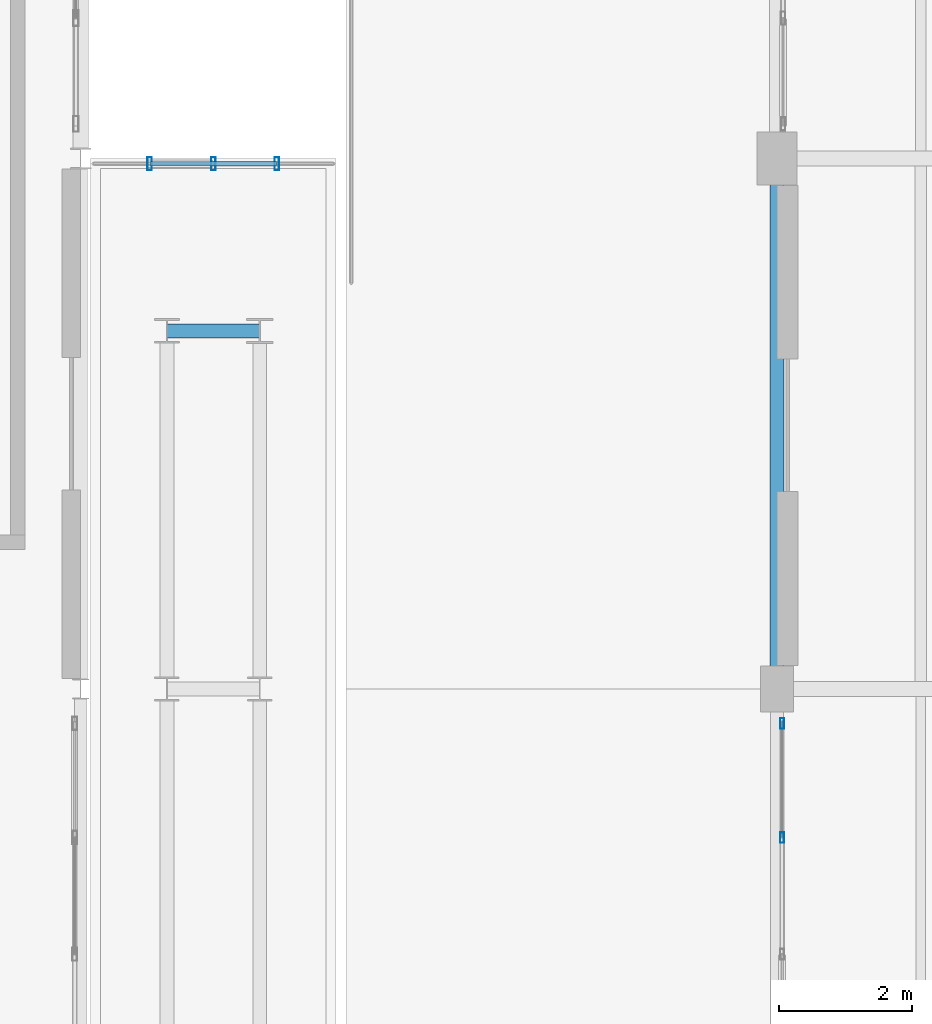
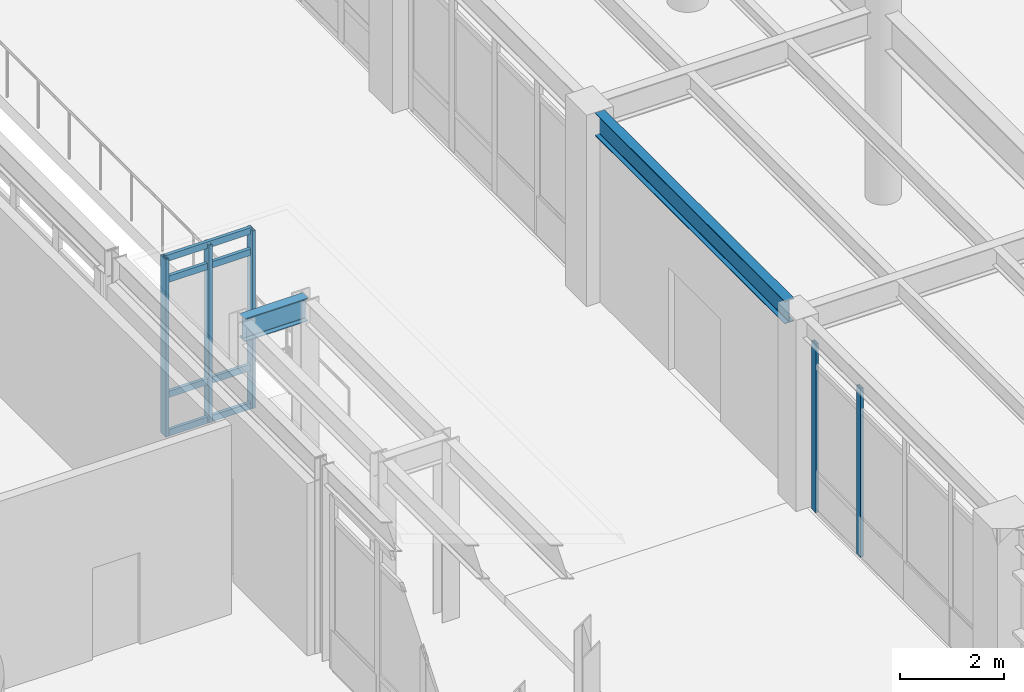
# One storey, part 37 of 200: 9 members, 2 beams, 2 elements without a shape of their own.
"""IFC4 building model written with IfcOpenShell, lengths in metres."""

from ifc_helpers import new_model, si_unit, direction, frame, origin, origin_2d, place, context, subcontext, project, spatial, hollow_rectangle, i_section, extrude, material, material_profile, profile_set, type_object, element, aggregate, save


model = new_model("IFC4")

# Units and contexts
model_context = context("Model", 3, precision=1e-05, world=origin(), true_north=direction((0.0, 1.0)))
body_context = subcontext(model_context, "Body", "Model", "MODEL_VIEW")
ifc_project = project(units=[si_unit("LENGTHUNIT", "METRE"), si_unit("AREAUNIT", "SQUARE_METRE"), si_unit("VOLUMEUNIT", "CUBIC_METRE"), si_unit("PLANEANGLEUNIT", "RADIAN"), si_unit("MASSUNIT", "GRAM", prefix="KILO"), si_unit("THERMODYNAMICTEMPERATUREUNIT", "KELVIN"), si_unit("POWERUNIT", "WATT")], contexts=[model_context])

# Site, building, storey
site_placement = place(None, origin())
site = spatial("IfcSite", under=ifc_project, at=site_placement, CompositionType="ELEMENT")
building_placement = place(site_placement, origin())
building = spatial("IfcBuilding", under=site, at=building_placement, Name="Tepalcoro Natatorium and Aquatics Centre", CompositionType="ELEMENT")
storey_placement = place(building_placement, frame((0.0, 0.0, 5.39990234375)))
storey = spatial("IfcBuildingStorey", under=building, at=storey_placement, Name="L01", CompositionType="ELEMENT", Elevation=5.39990234375)

# Beam
ifc_material_1 = material(Name="Steel ASTM A992 Grade 50 (Fy 345 MPa)", Category="steel")
ifc_material_profile_1 = material_profile(ifc_material_1, i_section(OverallWidth=0.2109375, OverallDepth=0.5380859375, WebThickness=0.011962890625, FlangeThickness=0.01904296875, FilletRadius=0.013916015625, at=origin_2d()), Name="W21X73")
ifc_profile_set_1 = profile_set([ifc_material_profile_1], Name="Steel ASTM A992 Grade 50 (Fy 345 MPa)")
beam_type_1 = type_object("IfcBeamType", Name="BM_LINK_LB1", PredefinedType="BEAM", material=ifc_profile_set_1)
beam_1_placement = place(storey_placement, frame((37.300048828125, 41.39990234375, 3.9560546875), z_axis=(1.0, 0.0, 0.0), x_axis=(0.0, 1.0, 0.0)))
element("IfcBeam", 1, at=beam_1_placement, inside=storey, type_object=beam_type_1, Name="Seismic passage link beam LB1 (V6W L01)", PredefinedType="BEAM", context=body_context, shape_type="SweptSolid", body=[
    extrude(i_section(OverallWidth=0.2109375, OverallDepth=0.5380859375, WebThickness=0.011962890625, FlangeThickness=0.01904296875, FilletRadius=0.013916015625, at=origin_2d()), origin(), (0.0, 0.0, 1.0), 1.39990234375),
])

# Curtain wall, members
ifc_material_2 = material(Name="Bronze-Anodised Extruded Aluminium Alloy EN AW-6063 T6", Category="aluminium")
curtain_wall_type_1 = type_object("IfcCurtainWallType", Name="CW_LEAN_T2_NS", PredefinedType="USERDEFINED", material=ifc_material_2)
curtain_wall_1_placement = place(storey_placement, origin())
curtain_wall_1 = element("IfcCurtainWall", 2, at=curtain_wall_1_placement, inside=storey, type_object=curtain_wall_type_1, Name="V1 L01 W Unitised Curtain Wall Bay 4", ObjectType="FACETED SOLAR GLAZING", PredefinedType="USERDEFINED")
ifc_material_profile_2 = material_profile(ifc_material_2, hollow_rectangle(XDim=0.06005859375, YDim=0.159912109375, WallThickness=0.00390625, at=origin_2d()), Name="AL60X160X4")
ifc_profile_set_2 = profile_set([ifc_material_profile_2], Name="Bronze-Anodised Extruded Aluminium Alloy EN AW-6063 T6")
member_type_1 = type_object("IfcMemberType", Name="CW_MUL_60x160", PredefinedType="MULLION", material=ifc_profile_set_2)
member_1_placement = place(storey_placement, frame((46.576171875, 33.760009765625, 0.02001953125), z_axis=(0.0, 0.0, 1.0), x_axis=(1.0, 0.0, 0.0)))
member_1 = element("IfcMember", 3, at=member_1_placement, type_object=member_type_1, Name="CW_LEAN_T2_NS Curtain Wall Mullion", PredefinedType="MULLION", context=body_context, shape_type="SweptSolid", body=[
    extrude(hollow_rectangle(XDim=0.06005859375, YDim=0.159912109375, WallThickness=0.00390625, at=origin_2d()), origin(), (0.0, 0.0, 1.0), 3.9501953125),
])
member_2_placement = place(storey_placement, frame((46.576171875, 35.47998046875, 0.02001953125), z_axis=(0.0, 0.0, 1.0), x_axis=(1.0, 0.0, 0.0)))
member_2 = element("IfcMember", 4, at=member_2_placement, type_object=member_type_1, Name="CW_LEAN_T2_NS Curtain Wall Mullion", PredefinedType="MULLION", context=body_context, shape_type="SweptSolid", body=[
    extrude(hollow_rectangle(XDim=0.06005859375, YDim=0.159912109375, WallThickness=0.00390625, at=origin_2d()), origin(), (0.0, 0.0, 1.0), 3.9501953125),
])
aggregate(curtain_wall_1, [member_1, member_2])

curtain_wall_type_2 = type_object("IfcCurtainWallType", Name="CW_LINK_150", PredefinedType="USERDEFINED", material=ifc_material_2)
curtain_wall_2_placement = place(storey_placement, origin())
curtain_wall_2 = element("IfcCurtainWall", 5, at=curtain_wall_2_placement, inside=storey, type_object=curtain_wall_type_2, Name="West Foyer Seismic Link Glazed Wall N L01", ObjectType="UNITISED STOREFRONT", PredefinedType="USERDEFINED")
ifc_material_profile_3 = material_profile(ifc_material_2, hollow_rectangle(XDim=0.070068359375, YDim=0.199951171875, WallThickness=0.0048828125, at=origin_2d()), Name="AL70X200X5")
ifc_profile_set_3 = profile_set([ifc_material_profile_3], Name="Bronze-Anodised Extruded Aluminium Alloy EN AW-6063 T6")
member_type_2 = type_object("IfcMemberType", Name="CW_MUL_70x200", PredefinedType="MULLION", material=ifc_profile_set_3)
member_3_placement = place(storey_placement, frame((37.0400390625, 43.919921875, 0.02001953125), z_axis=(0.0, 0.0, 1.0), x_axis=(1.0, 0.0, 0.0)))
member_3 = element("IfcMember", 6, at=member_3_placement, type_object=member_type_2, Name="CW_LINK_150 Curtain Wall Mullion", PredefinedType="MULLION", context=body_context, shape_type="SweptSolid", body=[
    extrude(hollow_rectangle(XDim=0.070068359375, YDim=0.199951171875, WallThickness=0.0048828125, at=origin_2d()), origin(), (0.0, 0.0, 1.0), 4.16015625),
])
member_4_placement = place(storey_placement, frame((38.0, 43.919921875, 0.02001953125), z_axis=(0.0, 0.0, 1.0), x_axis=(1.0, 0.0, 0.0)))
member_4 = element("IfcMember", 7, at=member_4_placement, type_object=member_type_2, Name="CW_LINK_150 Curtain Wall Mullion", PredefinedType="MULLION", context=body_context, shape_type="SweptSolid", body=[
    extrude(hollow_rectangle(XDim=0.070068359375, YDim=0.199951171875, WallThickness=0.0048828125, at=origin_2d()), origin(), (0.0, 0.0, 1.0), 4.16015625),
])
member_5_placement = place(storey_placement, frame((38.9599609375, 43.919921875, 0.02001953125), z_axis=(0.0, 0.0, 1.0), x_axis=(1.0, 0.0, 0.0)))
member_5 = element("IfcMember", 8, at=member_5_placement, type_object=member_type_2, Name="CW_LINK_150 Curtain Wall Mullion", PredefinedType="MULLION", context=body_context, shape_type="SweptSolid", body=[
    extrude(hollow_rectangle(XDim=0.070068359375, YDim=0.199951171875, WallThickness=0.0048828125, at=origin_2d()), origin(), (0.0, 0.0, 1.0), 4.16015625),
])
ifc_material_profile_4 = material_profile(ifc_material_2, hollow_rectangle(XDim=0.070068359375, YDim=0.14990234375, WallThickness=0.00390625, at=origin_2d()), Name="AL70X150X4")
ifc_profile_set_4 = profile_set([ifc_material_profile_4], Name="Bronze-Anodised Extruded Aluminium Alloy EN AW-6063 T6")
member_type_3 = type_object("IfcMemberType", Name="CW_TRN_70x150", PredefinedType="USERDEFINED", material=ifc_profile_set_4)
member_6_placement = place(storey_placement, frame((37.050048828125, 43.919921875, 0.050048828125), z_axis=(1.0, 0.0, 0.0), x_axis=(0.0, 1.0, 0.0)))
member_6 = element("IfcMember", 9, at=member_6_placement, type_object=member_type_3, Name="CW_LINK_150 Curtain Wall Transom", ObjectType="TRANSOM", PredefinedType="USERDEFINED", context=body_context, shape_type="SweptSolid", body=[
    extrude(hollow_rectangle(XDim=0.070068359375, YDim=0.14990234375, WallThickness=0.00390625, at=origin_2d()), origin(), (0.0, 0.0, 1.0), 1.89990234375),
])
member_7_placement = place(storey_placement, frame((37.050048828125, 43.919921875, 0.9501953125), z_axis=(1.0, 0.0, 0.0), x_axis=(0.0, 1.0, 0.0)))
member_7 = element("IfcMember", 10, at=member_7_placement, type_object=member_type_3, Name="CW_LINK_150 Curtain Wall Transom", ObjectType="TRANSOM", PredefinedType="USERDEFINED", context=body_context, shape_type="SweptSolid", body=[
    extrude(hollow_rectangle(XDim=0.070068359375, YDim=0.14990234375, WallThickness=0.00390625, at=origin_2d()), origin(), (0.0, 0.0, 1.0), 1.89990234375),
])
member_8_placement = place(storey_placement, frame((37.050048828125, 43.919921875, 3.650146484375), z_axis=(1.0, 0.0, 0.0), x_axis=(0.0, 1.0, 0.0)))
member_8 = element("IfcMember", 11, at=member_8_placement, type_object=member_type_3, Name="CW_LINK_150 Curtain Wall Transom", ObjectType="TRANSOM", PredefinedType="USERDEFINED", context=body_context, shape_type="SweptSolid", body=[
    extrude(hollow_rectangle(XDim=0.070068359375, YDim=0.14990234375, WallThickness=0.00390625, at=origin_2d()), origin(), (0.0, 0.0, 1.0), 1.89990234375),
])
member_9_placement = place(storey_placement, frame((37.050048828125, 43.919921875, 4.150146484375), z_axis=(1.0, 0.0, 0.0), x_axis=(0.0, 1.0, 0.0)))
member_9 = element("IfcMember", 12, at=member_9_placement, type_object=member_type_3, Name="CW_LINK_150 Curtain Wall Transom", ObjectType="TRANSOM", PredefinedType="USERDEFINED", context=body_context, shape_type="SweptSolid", body=[
    extrude(hollow_rectangle(XDim=0.070068359375, YDim=0.14990234375, WallThickness=0.00390625, at=origin_2d()), origin(), (0.0, 0.0, 1.0), 1.89990234375),
])
aggregate(curtain_wall_2, [member_3, member_4, member_5, member_6, member_7, member_8, member_9])

# Beam
ifc_material_profile_5 = material_profile(ifc_material_1, i_section(OverallWidth=0.2099609375, OverallDepth=0.535888671875, WebThickness=0.010986328125, FlangeThickness=0.01708984375, FilletRadius=0.013916015625, at=origin_2d()), Name="W21X68")
ifc_profile_set_5 = profile_set([ifc_material_profile_5], Name="Steel ASTM A992 Grade 50 (Fy 345 MPa)")
beam_type_2 = type_object("IfcBeamType", Name="SP_W21x68", PredefinedType="SPANDREL", material=ifc_profile_set_5)
beam_2_placement = place(storey_placement, frame((46.5, 36.3349609375, 4.197021484375), z_axis=(0.0, 1.0, 0.0), x_axis=(-1.0, 0.0, 0.0)))
element("IfcBeam", 13, at=beam_2_placement, inside=storey, type_object=beam_type_2, Name="V1 L01 Grid Girder Y", PredefinedType="SPANDREL", context=body_context, shape_type="SweptSolid", body=[
    extrude(i_section(OverallWidth=0.2099609375, OverallDepth=0.535888671875, WebThickness=0.010986328125, FlangeThickness=0.01708984375, FilletRadius=0.013916015625, at=origin_2d()), origin(), (0.0, 0.0, 1.0), 7.280029296875),
])

save(model, "model.ifc")
